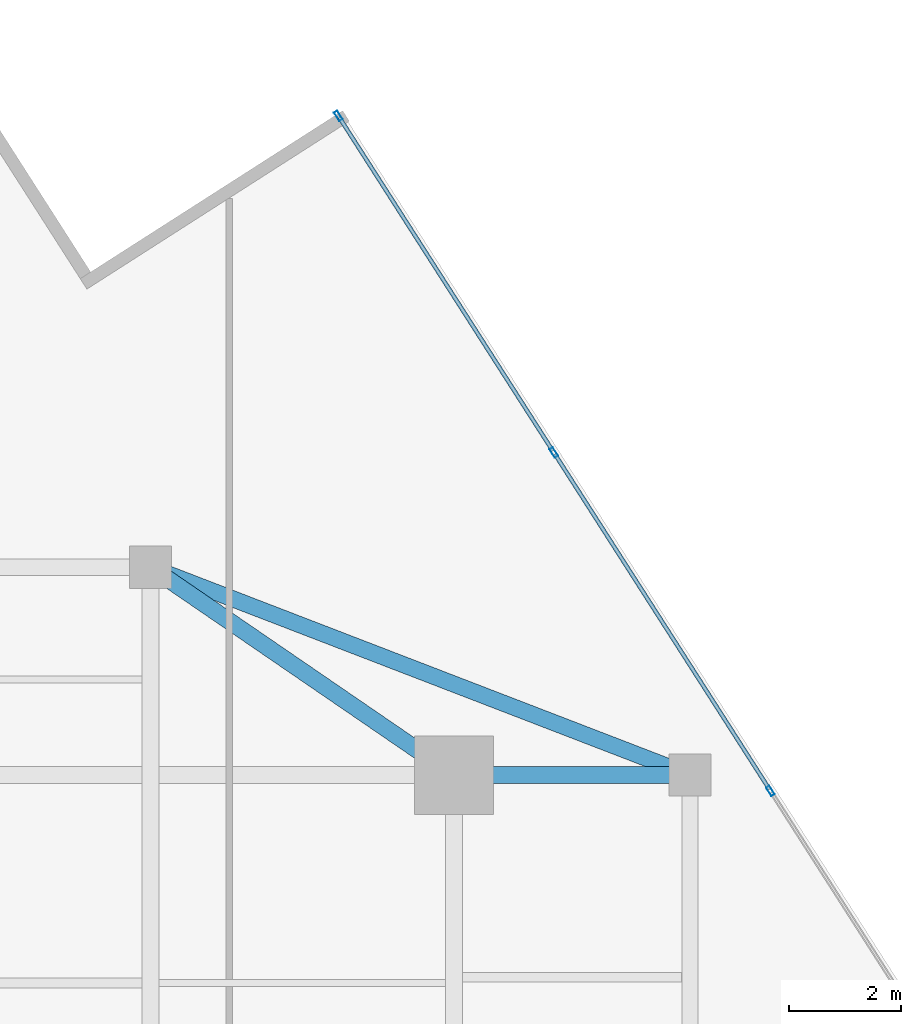
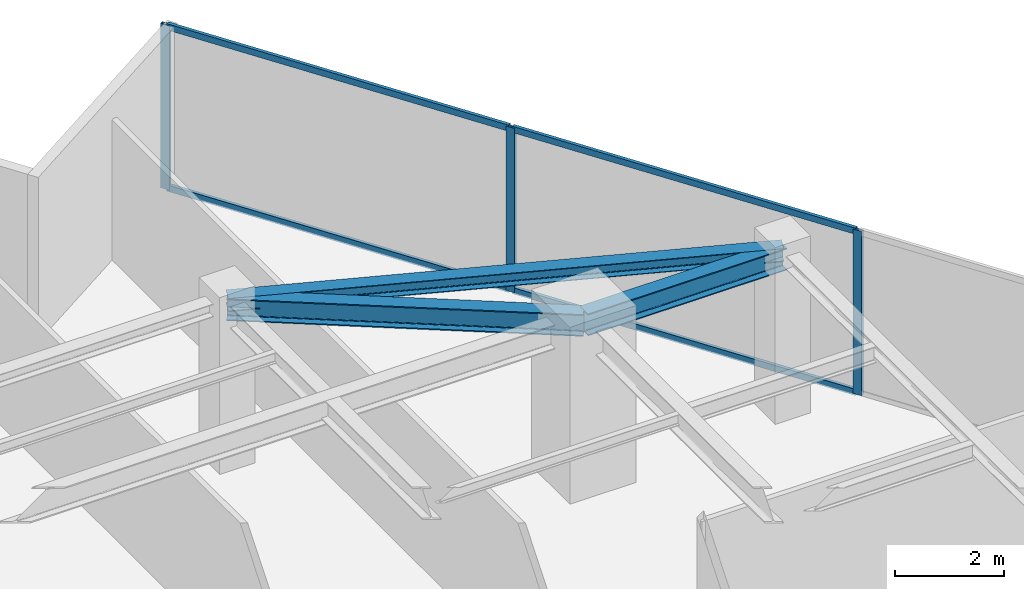
# One storey, part 15 of 20: 7 members, 3 beams, 1 element without a shape of its own.
"""IFC4 building model written with IfcOpenShell, lengths in metres."""

from ifc_helpers import new_model, si_unit, direction, frame, origin, origin_2d, place, context, subcontext, project, spatial, hollow_rectangle, i_section, extrude, source, transform, mapped, material, material_profile, profile_set, type_object, type_shapes, element, aggregate, save


model = new_model("IFC4")

# Units and contexts
model_context = context("Model", 3, precision=1e-05, world=origin(), true_north=direction((0.0, 1.0)))
body_context = subcontext(model_context, "Body", "Model", "MODEL_VIEW")
ifc_project = project(units=[si_unit("LENGTHUNIT", "METRE"), si_unit("AREAUNIT", "SQUARE_METRE"), si_unit("VOLUMEUNIT", "CUBIC_METRE"), si_unit("PLANEANGLEUNIT", "RADIAN"), si_unit("MASSUNIT", "GRAM", prefix="KILO")], contexts=[model_context])

# Site, building, storey
site_placement = place(None, origin())
site = spatial("IfcSite", under=ifc_project, at=site_placement, CompositionType="ELEMENT")
building_placement = place(site_placement, origin())
building = spatial("IfcBuilding", under=site, at=building_placement, Name="Krantzveldt Concourse Tower", CompositionType="ELEMENT")
storey_placement = place(building_placement, frame((0.0, 0.0, 283.199951171875)))
storey = spatial("IfcBuildingStorey", under=building, at=storey_placement, Name="L69", CompositionType="ELEMENT", Elevation=283.199951171875)

# Beams
ifc_material_1 = material(Name="Steel S355JR", Category="steel")
ifc_material_profile_1 = material_profile(ifc_material_1, i_section(OverallWidth=0.300048828125, OverallDepth=0.489990234375, WebThickness=0.011962890625, FlangeThickness=0.02294921875, FilletRadius=0.027099609375, at=origin_2d()), Name="Steel S355JR", Category="steel")
ifc_profile_set_1 = profile_set([ifc_material_profile_1], Name="Steel S355JR - HEA 500")
beam_type_1 = type_object("IfcBeamType", Name="BM-B-HEA500", PredefinedType="BEAM", material=ifc_profile_set_1)
shared_shape_1 = source(origin(), body_context, "Body", "SweptSolid", [
    extrude(i_section(OverallWidth=0.300048828125, OverallDepth=0.489990234375, WebThickness=0.011962890625, FlangeThickness=0.02294921875, FilletRadius=0.027099609375, at=origin_2d()), origin(), (0.0, 0.0, 1.0), 4.199951171875),
])
beam_1_placement = place(storey_placement, frame((46.800048828125, 37.5, 3.425048828125), z_axis=(1.0, 0.0, 0.0), x_axis=(0.0, 1.0, 0.0)))
element("IfcBeam", 1, at=beam_1_placement, inside=storey, type_object=beam_type_1, Name="L69 Tower Girder BR-RR3", PredefinedType="BEAM", context=body_context, shape_type="MappedRepresentation", body=[
    mapped(shared_shape_1, transform((0.0, 0.0, 0.0), x_axis=(1.0, 0.0, 0.0), y_axis=(0.0, 1.0, 0.0), z_axis=(0.0, 0.0, 1.0), scale=1.0)),
])
shared_shape_2 = source(origin(), body_context, "Body", "SweptSolid", [
    extrude(i_section(OverallWidth=0.300048828125, OverallDepth=0.489990234375, WebThickness=0.011962890625, FlangeThickness=0.02294921875, FilletRadius=0.027099609375, at=origin_2d()), origin(), (0.0, 0.0, 1.0), 6.546142578125),
])
type_shapes(beam_type_1, [shared_shape_1, shared_shape_2])
beam_2_placement = place(storey_placement, frame((46.800048828125, 37.5, 3.425048828125), z_axis=(-0.824942999484, 0.565215930068, 0.0), x_axis=(-0.565215930068, -0.824942999484, 0.0)))
element("IfcBeam", 2, at=beam_2_placement, inside=storey, type_object=beam_type_1, Name="L69 Tower Girder BR-RR4", PredefinedType="BEAM", context=body_context, shape_type="MappedRepresentation", body=[
    mapped(shared_shape_2, transform((0.0, 0.0, 0.0), x_axis=(1.0, 0.0, 0.0), y_axis=(0.0, 1.0, 0.0), z_axis=(0.0, 0.0, 1.0), scale=1.0)),
])
ifc_material_profile_2 = material_profile(ifc_material_1, i_section(OverallWidth=0.2900390625, OverallDepth=0.2900390625, WebThickness=0.008544921875, FlangeThickness=0.013916015625, FilletRadius=0.027099609375, at=origin_2d()), Name="Steel S355JR", Category="steel")
ifc_profile_set_2 = profile_set([ifc_material_profile_2], Name="Steel S355JR - HEA 300")
beam_type_2 = type_object("IfcBeamType", Name="BM-SP-HEA300", PredefinedType="SPANDREL", material=ifc_profile_set_2)
shared_shape_3 = source(origin(), body_context, "Body", "SweptSolid", [
    extrude(i_section(OverallWidth=0.2900390625, OverallDepth=0.2900390625, WebThickness=0.008544921875, FlangeThickness=0.013916015625, FilletRadius=0.027099609375, at=origin_2d()), origin(), (0.0, 0.0, 1.0), 10.288330078125),
])
type_shapes(beam_type_2, [shared_shape_3])
beam_3_placement = place(storey_placement, frame((41.39990234375, 41.199951171875, 3.525146484375), z_axis=(0.933097690408, -0.359622997257, 0.0), x_axis=(0.359622997257, 0.933097690408, 0.0)))
element("IfcBeam", 3, at=beam_3_placement, inside=storey, type_object=beam_type_2, Name="L69 Tower Girder SP-R05", PredefinedType="SPANDREL", context=body_context, shape_type="MappedRepresentation", body=[
    mapped(shared_shape_3, transform((0.0, 0.0, 0.0), x_axis=(1.0, 0.0, 0.0), y_axis=(0.0, 1.0, 0.0), z_axis=(0.0, 0.0, 1.0), scale=1.0)),
])

# Curtain wall, members
ifc_material_2 = material(Name="Anodised aluminium 6063-T6", Category="aluminium")
curtain_wall_type = type_object("IfcCurtainWallType", Name="CW4", PredefinedType="USERDEFINED", material=ifc_material_2)
curtain_wall_placement = place(storey_placement, origin())
curtain_wall = element("IfcCurtainWall", 4, at=curtain_wall_placement, inside=storey, type_object=curtain_wall_type, Name="CW-L69-F10", ObjectType="UNITISED CURTAIN WALL", PredefinedType="USERDEFINED")
ifc_material_profile_3 = material_profile(ifc_material_2, hollow_rectangle(XDim=0.070068359375, YDim=0.179931640625, WallThickness=0.0048828125, at=origin_2d()), Name="Anodised aluminium 6063-T6", Category="aluminium")
ifc_profile_set_3 = profile_set([ifc_material_profile_3], Name="Anodised aluminium 6063-T6 - ALU-MULL 180x70x5")
member_type_1 = type_object("IfcMemberType", Name="CW-MUL-180", PredefinedType="MULLION", material=ifc_profile_set_3)
shared_shape_4 = source(origin(), body_context, "Body", "SweptSolid", [
    extrude(hollow_rectangle(XDim=0.070068359375, YDim=0.179931640625, WallThickness=0.0048828125, at=origin_2d()), origin(), (0.0, 0.0, 1.0), 3.670166015625),
])
type_shapes(member_type_1, [shared_shape_4])
member_1_placement = place(storey_placement, frame((52.431640625, 37.218505859375, 0.0), z_axis=(0.0, 0.0, 1.0), x_axis=(-0.842217243088, -0.53913830827, 0.0)))
member_1 = element("IfcMember", 5, at=member_1_placement, type_object=member_type_1, Name="CW-Z56 mullion 3", PredefinedType="MULLION", context=body_context, shape_type="MappedRepresentation", body=[
    mapped(shared_shape_4, transform((0.0, 0.0, 0.0), x_axis=(1.0, 0.0, 0.0), y_axis=(0.0, 1.0, 0.0), z_axis=(0.0, 0.0, 1.0), scale=1.0)),
])
member_2_placement = place(storey_placement, frame((48.576904296875, 43.240478515625, 0.0), z_axis=(0.0, 0.0, 1.0), x_axis=(-0.842217243088, -0.53913830827, 0.0)))
member_2 = element("IfcMember", 6, at=member_2_placement, type_object=member_type_1, Name="CW-Z56 mullion 4", PredefinedType="MULLION", context=body_context, shape_type="MappedRepresentation", body=[
    mapped(shared_shape_4, transform((0.0, 0.0, 0.0), x_axis=(1.0, 0.0, 0.0), y_axis=(0.0, 1.0, 0.0), z_axis=(0.0, 0.0, 1.0), scale=1.0)),
])
member_3_placement = place(storey_placement, frame((44.740966796875, 49.23291015625, 0.0), z_axis=(0.0, 0.0, 1.0), x_axis=(-0.842217243088, -0.53913830827, 0.0)))
member_3 = element("IfcMember", 7, at=member_3_placement, type_object=member_type_1, Name="CW-Z56 mullion 5", PredefinedType="MULLION", context=body_context, shape_type="MappedRepresentation", body=[
    mapped(shared_shape_4, transform((0.0, 0.0, 0.0), x_axis=(1.0, 0.0, 0.0), y_axis=(0.0, 1.0, 0.0), z_axis=(0.0, 0.0, 1.0), scale=1.0)),
])
ifc_material_profile_4 = material_profile(ifc_material_2, hollow_rectangle(XDim=0.070068359375, YDim=0.139892578125, WallThickness=0.0048828125, at=origin_2d()), Name="Anodised aluminium 6063-T6", Category="aluminium")
ifc_profile_set_4 = profile_set([ifc_material_profile_4], Name="Anodised aluminium 6063-T6 - ALU-TRAN 140x70x5")
member_type_2 = type_object("IfcMemberType", Name="CW-TRN-150", PredefinedType="USERDEFINED", material=ifc_profile_set_4)
shared_shape_5 = source(origin(), body_context, "Body", "SweptSolid", [
    extrude(hollow_rectangle(XDim=0.070068359375, YDim=0.139892578125, WallThickness=0.0048828125, at=origin_2d()), origin(), (0.0, 0.0, 1.0), 7.044921875),
])
member_4_placement = place(storey_placement, frame((48.557861328125, 43.27001953125, 0.03515625), z_axis=(-0.539129416232, 0.842222935186, 0.0), x_axis=(-0.842222935186, -0.539129416232, 0.0)))
member_4 = element("IfcMember", 8, at=member_4_placement, type_object=member_type_2, Name="CW-Z56 transom 4.1", ObjectType="TRANSOM", PredefinedType="USERDEFINED", context=body_context, shape_type="MappedRepresentation", body=[
    mapped(shared_shape_5, transform((0.0, 0.0, 0.0), x_axis=(1.0, 0.0, 0.0), y_axis=(0.0, 1.0, 0.0), z_axis=(0.0, 0.0, 1.0), scale=1.0)),
])
member_5_placement = place(storey_placement, frame((48.557861328125, 43.27001953125, 3.635009765625), z_axis=(-0.539129416232, 0.842222935186, 0.0), x_axis=(-0.842222935186, -0.539129416232, 0.0)))
member_5 = element("IfcMember", 9, at=member_5_placement, type_object=member_type_2, Name="CW-Z56 transom 4.2", ObjectType="TRANSOM", PredefinedType="USERDEFINED", context=body_context, shape_type="MappedRepresentation", body=[
    mapped(shared_shape_5, transform((0.0, 0.0, 0.0), x_axis=(1.0, 0.0, 0.0), y_axis=(0.0, 1.0, 0.0), z_axis=(0.0, 0.0, 1.0), scale=1.0)),
])
shared_shape_6 = source(origin(), body_context, "Body", "SweptSolid", [
    extrude(hollow_rectangle(XDim=0.070068359375, YDim=0.139892578125, WallThickness=0.0048828125, at=origin_2d()), origin(), (0.0, 0.0, 1.0), 7.080078125),
])
type_shapes(member_type_2, [shared_shape_5, shared_shape_6])
member_6_placement = place(storey_placement, frame((52.412841796875, 37.248046875, 0.03515625), z_axis=(-0.539142738786, 0.842214406915, 0.0), x_axis=(-0.842214406915, -0.539142738786, 0.0)))
member_6 = element("IfcMember", 10, at=member_6_placement, type_object=member_type_2, Name="CW-Z56 transom 3.1", ObjectType="TRANSOM", PredefinedType="USERDEFINED", context=body_context, shape_type="MappedRepresentation", body=[
    mapped(shared_shape_6, transform((0.0, 0.0, 0.0), x_axis=(1.0, 0.0, 0.0), y_axis=(0.0, 1.0, 0.0), z_axis=(0.0, 0.0, 1.0), scale=1.0)),
])
member_7_placement = place(storey_placement, frame((52.412841796875, 37.248046875, 3.635009765625), z_axis=(-0.539142738786, 0.842214406915, 0.0), x_axis=(-0.842214406915, -0.539142738786, 0.0)))
member_7 = element("IfcMember", 11, at=member_7_placement, type_object=member_type_2, Name="CW-Z56 transom 3.2", ObjectType="TRANSOM", PredefinedType="USERDEFINED", context=body_context, shape_type="MappedRepresentation", body=[
    mapped(shared_shape_6, transform((0.0, 0.0, 0.0), x_axis=(1.0, 0.0, 0.0), y_axis=(0.0, 1.0, 0.0), z_axis=(0.0, 0.0, 1.0), scale=1.0)),
])
aggregate(curtain_wall, [member_1, member_2, member_3, member_6, member_7, member_4, member_5])

save(model, "model.ifc")
